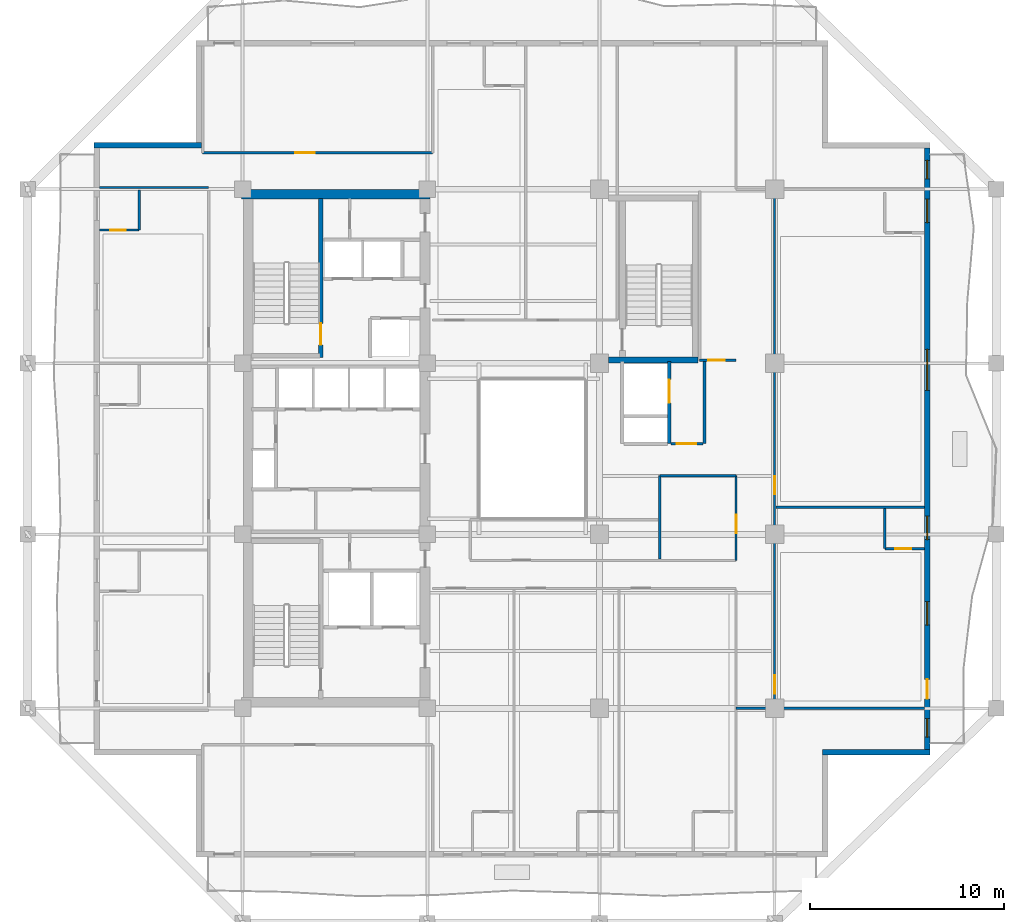
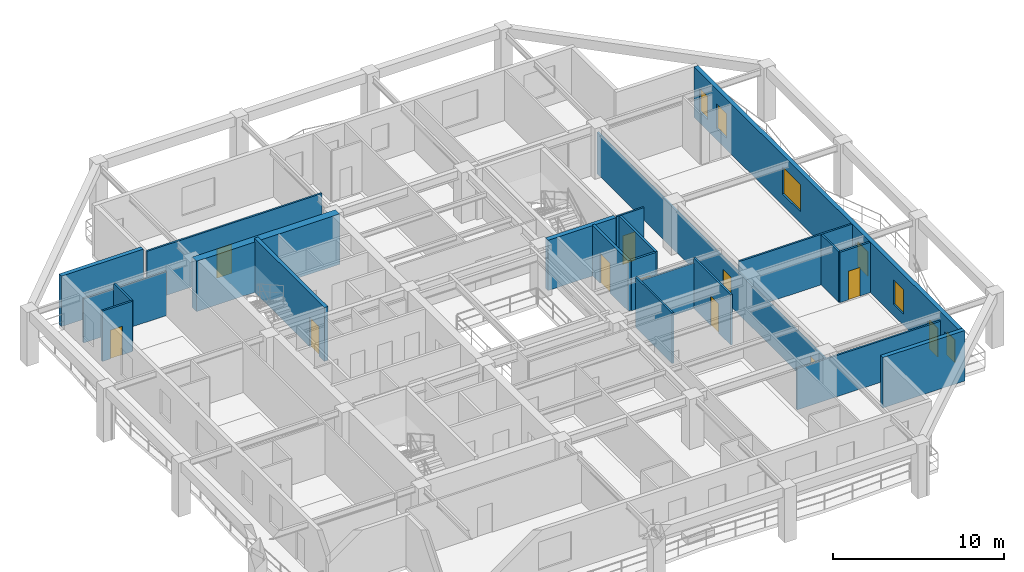
# One storey, part 5 of 13: 22 walls, 11 doors, 6 windows, 17 openings.
"""IFC4 building model written with IfcOpenShell, lengths in metres."""

from ifc_helpers import new_model, si_unit, direction, frame, frame_2d, origin, place, context, subcontext, project, spatial, rectangle, extrude, material, layer, layer_set, type_object, element, fill, save


model = new_model("IFC4")

# Units and contexts
model_context = context("Model", 3, precision=1e-05, world=origin(), true_north=direction((0.0, 1.0)))
body_context = subcontext(model_context, "Body", "Model", "MODEL_VIEW")
ifc_project = project(units=[si_unit("LENGTHUNIT", "METRE"), si_unit("AREAUNIT", "SQUARE_METRE"), si_unit("VOLUMEUNIT", "CUBIC_METRE"), si_unit("PLANEANGLEUNIT", "RADIAN"), si_unit("MASSUNIT", "GRAM", prefix="KILO")], contexts=[model_context])

# Site, building, storey
site_placement = place(None, origin())
site = spatial("IfcSite", under=ifc_project, at=site_placement, CompositionType="ELEMENT")
building_placement = place(site_placement, origin())
building = spatial("IfcBuilding", under=site, at=building_placement, Name="Kundavana Baori Tower", CompositionType="ELEMENT")
storey_placement = place(building_placement, frame((0.0, 0.0, 181.0)))
storey = spatial("IfcBuildingStorey", under=building, at=storey_placement, Name="L44", CompositionType="ELEMENT", Elevation=181.0)

# Wall, opening, door
ifc_material_1 = material(Name="Concrete C50/60", Category="concrete")
ifc_layer_1 = layer(ifc_material_1, 0.39990234375, Name="WL-CORE-400")
ifc_layer_set_1 = layer_set([ifc_layer_1], Name="Concrete C50/60")
wall_type_1 = type_object("IfcWallType", Name="WL-CORE-400", PredefinedType="SHEAR", material=ifc_layer_set_1)
wall_1_placement = place(storey_placement, frame((19.4599609375, 33.300048828125, 0.0), z_axis=(0.0, 0.0, 1.0), x_axis=(0.0, 1.0, 0.0)))
wall_1 = element("IfcWall", 1, at=wall_1_placement, inside=storey, type_object=wall_type_1, Name="WL-L44-ST2-E", PredefinedType="SHEAR", context=body_context, shape_type="SweptSolid", body=[
    extrude(rectangle(XDim=8.179931640625, YDim=0.239990234375, at=frame_2d((4.08984375, 0.0))), origin(), (0.0, 0.0, 1.0), 3.85009765625),
])
opening_1_placement = place(wall_1_placement, frame((0.64990234375, 0.0, 0.0)))
opening_1 = element("IfcOpeningElement", 2, at=opening_1_placement, cuts=wall_1, Name="Opening FD-110", PredefinedType="OPENING", context=body_context, shape_type="SweptSolid", body=[
    extrude(rectangle(XDim=1.10009765625, YDim=2.10009765625, at=frame_2d((0.550048828125, 1.050048828125))), frame((0.0, 0.1298828125, 0.0), z_axis=(0.0, -1.0, 0.0), x_axis=(1.0, 0.0, 0.0)), (0.0, 0.0, 1.0), 0.260009765625),
])
ifc_material_2 = material(Name="Galvanised Steel Fire-Rated Door Leaf", Category="steel")
door_type_1 = type_object("IfcDoorType", Name="DR-FD120-1100", OperationType="NOTDEFINED", PredefinedType="DOOR", material=ifc_material_2)
door_1_placement = place(opening_1_placement, origin())
door_1 = element("IfcDoor", 3, at=door_1_placement, inside=storey, type_object=door_type_1, Name="DR-L44-ST2", OperationType="SINGLE_SWING_RIGHT", OverallHeight=2.10009765625, OverallWidth=1.10009765625, PredefinedType="DOOR", context=body_context, shape_type="SweptSolid", body=[
    extrude(rectangle(XDim=1.10009765625, YDim=2.10009765625, at=frame_2d((0.550048828125, 1.050048828125))), frame((0.0, 0.02490234375, 0.0), z_axis=(0.0, -1.0, 0.0), x_axis=(1.0, 0.0, 0.0)), (0.0, 0.0, 1.0), 0.050048828125),
])
fill(opening_1, door_1)

# Walls
ifc_material_3 = material(Name="Concrete C50/60", Category="concrete")
ifc_layer_2 = layer(ifc_material_3, 0.5, Name="WL-CORE-500")
ifc_layer_set_2 = layer_set([ifc_layer_2], Name="Concrete C50/60")
wall_type_2 = type_object("IfcWallType", Name="WL-CORE-500", PredefinedType="SHEAR", material=ifc_layer_set_2)
wall_2_placement = place(storey_placement, frame((15.39990234375, 41.68994140625, 0.0), z_axis=(0.0, 0.0, 1.0), x_axis=(1.0, 0.0, 0.0)))
element("IfcWall", 4, at=wall_2_placement, inside=storey, type_object=wall_type_2, Name="L44 Offset Core North Shear Wall", PredefinedType="SHEAR", context=body_context, shape_type="SweptSolid", body=[
    extrude(rectangle(XDim=9.68017578125, YDim=0.5, at=frame_2d((4.840087890625, 0.0))), origin(), (0.0, 0.0, 1.0), 3.60009765625),
])
ifc_material_4 = material(Name="Red-Buff Dholpur Sandstone Cladding on Concrete C40/50", Category="masonry")
ifc_layer_3 = layer(ifc_material_4, 0.280029296875, Name="WL-EXT-SAND-280")
ifc_layer_set_3 = layer_set([ifc_layer_3], Name="Red-Buff Dholpur Sandstone Cladding on Concrete C40/50")
wall_type_3 = type_object("IfcWallType", Name="WL-EXT-SAND-280", PredefinedType="STANDARD", material=ifc_layer_set_3)
wall_3_placement = place(storey_placement, frame((45.27001953125, 12.989990234375, 0.0), z_axis=(0.0, 0.0, 1.0), x_axis=(1.0, 0.0, 0.0)))
element("IfcWall", 5, at=wall_3_placement, inside=storey, type_object=wall_type_3, Name="L44 Exterior Insulated Facade Wall 03", PredefinedType="STANDARD", context=body_context, shape_type="SweptSolid", body=[
    extrude(rectangle(XDim=5.530029296875, YDim=0.280029296875, at=frame_2d((2.76513671875, 0.0))), origin(), (0.0, 0.0, 1.0), 3.60009765625),
])

# Wall, openings, door, windows
wall_4_placement = place(storey_placement, frame((50.659912109375, 13.1298828125, 0.0), z_axis=(0.0, 0.0, 1.0), x_axis=(0.0, 1.0, 0.0)))
wall_4 = element("IfcWall", 6, at=wall_4_placement, inside=storey, type_object=wall_type_3, Name="L44 Exterior Insulated Facade Wall 04", PredefinedType="STANDARD", context=body_context, shape_type="SweptSolid", body=[
    extrude(rectangle(XDim=30.940185546875, YDim=0.280029296875, at=frame_2d((15.47021484375, 0.0))), origin(), (0.0, 0.0, 1.0), 3.60009765625),
])
opening_2_placement = place(wall_4_placement, frame((0.639892578125, 0.0, 0.800048828125)))
opening_2 = element("IfcOpeningElement", 7, at=opening_2_placement, cuts=wall_4, Name="Opening W-13", PredefinedType="OPENING", context=body_context, shape_type="SweptSolid", body=[
    extrude(rectangle(XDim=0.949951171875, YDim=1.64990234375, at=frame_2d((0.47509765625, 0.824951171875))), frame((0.0, 0.14990234375, 0.0), z_axis=(0.0, -1.0, 0.0), x_axis=(1.0, 0.0, 0.0)), (0.0, 0.0, 1.0), 0.300048828125),
])
opening_3_placement = place(wall_4_placement, frame((2.610107421875, 0.0, 0.0)))
opening_3 = element("IfcOpeningElement", 8, at=opening_3_placement, cuts=wall_4, Name="Opening BD-1", PredefinedType="OPENING", context=body_context, shape_type="SweptSolid", body=[
    extrude(rectangle(XDim=1.0, YDim=2.050048828125, at=frame_2d((0.5, 1.02490234375))), frame((0.0, 0.14990234375, 0.0), z_axis=(0.0, -1.0, 0.0), x_axis=(1.0, 0.0, 0.0)), (0.0, 0.0, 1.0), 0.300048828125),
])
opening_4_placement = place(wall_4_placement, frame((6.405029296875, 0.0, 0.800048828125)))
opening_4 = element("IfcOpeningElement", 9, at=opening_4_placement, cuts=wall_4, Name="Opening W-03", PredefinedType="OPENING", context=body_context, shape_type="SweptSolid", body=[
    extrude(rectangle(XDim=1.199951171875, YDim=1.75, at=frame_2d((0.60009765625, 0.875))), frame((0.0, 0.14990234375, 0.0), z_axis=(0.0, -1.0, 0.0), x_axis=(1.0, 0.0, 0.0)), (0.0, 0.0, 1.0), 0.300048828125),
])
opening_5_placement = place(wall_4_placement, frame((10.804931640625, 0.0, 0.800048828125)))
opening_5 = element("IfcOpeningElement", 10, at=opening_5_placement, cuts=wall_4, Name="Opening W-03", PredefinedType="OPENING", context=body_context, shape_type="SweptSolid", body=[
    extrude(rectangle(XDim=1.199951171875, YDim=1.75, at=frame_2d((0.60009765625, 0.875))), frame((0.0, 0.14990234375, 0.0), z_axis=(0.0, -1.0, 0.0), x_axis=(1.0, 0.0, 0.0)), (0.0, 0.0, 1.0), 0.300048828125),
])
opening_6_placement = place(wall_4_placement, frame((18.47998046875, 0.0, 0.800048828125)))
opening_6 = element("IfcOpeningElement", 11, at=opening_6_placement, cuts=wall_4, Name="Opening W-05", PredefinedType="OPENING", context=body_context, shape_type="SweptSolid", body=[
    extrude(rectangle(XDim=2.10009765625, YDim=1.949951171875, at=frame_2d((1.050048828125, 0.97509765625))), frame((0.0, 0.14990234375, 0.0), z_axis=(0.0, -1.0, 0.0), x_axis=(1.0, 0.0, 0.0)), (0.0, 0.0, 1.0), 0.300048828125),
])
opening_7_placement = place(wall_4_placement, frame((27.10498046875, 0.0, 0.800048828125)))
opening_7 = element("IfcOpeningElement", 12, at=opening_7_placement, cuts=wall_4, Name="Opening W-03", PredefinedType="OPENING", context=body_context, shape_type="SweptSolid", body=[
    extrude(rectangle(XDim=1.199951171875, YDim=1.75, at=frame_2d((0.60009765625, 0.875))), frame((0.0, 0.14990234375, 0.0), z_axis=(0.0, -1.0, 0.0), x_axis=(1.0, 0.0, 0.0)), (0.0, 0.0, 1.0), 0.300048828125),
])
opening_8_placement = place(wall_4_placement, frame((29.35009765625, 0.0, 0.800048828125)))
opening_8 = element("IfcOpeningElement", 13, at=opening_8_placement, cuts=wall_4, Name="Opening W-13", PredefinedType="OPENING", context=body_context, shape_type="SweptSolid", body=[
    extrude(rectangle(XDim=0.949951171875, YDim=1.64990234375, at=frame_2d((0.47509765625, 0.824951171875))), frame((0.0, 0.14990234375, 0.0), z_axis=(0.0, -1.0, 0.0), x_axis=(1.0, 0.0, 0.0)), (0.0, 0.0, 1.0), 0.300048828125),
])
ifc_material_5 = material(Name="Architectural Patinated Bronze Metalwork")
door_type_2 = type_object("IfcDoorType", Name="DR-EXT-LOG-1000", OperationType="NOTDEFINED", PredefinedType="DOOR", material=ifc_material_5)
door_2_placement = place(opening_3_placement, frame((1.0, 0.0, 0.0), z_axis=(0.0, 0.0, 1.0), x_axis=(-1.0, 0.0, 0.0)))
door_2 = element("IfcDoor", 14, at=door_2_placement, inside=storey, type_object=door_type_2, Name="L44 Loggia Balcony Access Door E", OperationType="SINGLE_SWING_LEFT", OverallHeight=2.050048828125, OverallWidth=1.0, PredefinedType="DOOR", context=body_context, shape_type="SweptSolid", body=[
    extrude(rectangle(XDim=1.0, YDim=2.050048828125, at=frame_2d((0.5, 1.02490234375))), frame((0.0, 0.02490234375, 0.0), z_axis=(0.0, -1.0, 0.0), x_axis=(1.0, 0.0, 0.0)), (0.0, 0.0, 1.0), 0.050048828125),
])
fill(opening_3, door_2)
ifc_material_6 = material(Name="Double-Glazed Solar-Control Low-E Insulated Glass", Category="glass")
window_type_1 = type_object("IfcWindowType", Name="WIN-LOG-1200x1750", PartitioningType="SINGLE_PANEL", PredefinedType="WINDOW", material=ifc_material_6)
window_1_placement = place(opening_4_placement, origin())
window_1 = element("IfcWindow", 15, at=window_1_placement, inside=storey, type_object=window_type_1, Name="L44 Recessed Loggia Window E-2", OverallHeight=1.75, OverallWidth=1.199951171875, PartitioningType="SINGLE_PANEL", PredefinedType="WINDOW", context=body_context, shape_type="SweptSolid", body=[
    extrude(rectangle(XDim=1.199951171875, YDim=1.75, at=frame_2d((0.60009765625, 0.875))), frame((0.0, 0.030029296875, 0.0), z_axis=(0.0, -1.0, 0.0), x_axis=(1.0, 0.0, 0.0)), (0.0, 0.0, 1.0), 0.06005859375),
])
fill(opening_4, window_1)
window_2_placement = place(opening_5_placement, origin())
window_2 = element("IfcWindow", 16, at=window_2_placement, inside=storey, type_object=window_type_1, Name="L44 Recessed Loggia Window E-3", OverallHeight=1.75, OverallWidth=1.199951171875, PartitioningType="SINGLE_PANEL", PredefinedType="WINDOW", context=body_context, shape_type="SweptSolid", body=[
    extrude(rectangle(XDim=1.199951171875, YDim=1.75, at=frame_2d((0.60009765625, 0.875))), frame((0.0, 0.030029296875, 0.0), z_axis=(0.0, -1.0, 0.0), x_axis=(1.0, 0.0, 0.0)), (0.0, 0.0, 1.0), 0.06005859375),
])
fill(opening_5, window_2)
window_3_placement = place(opening_7_placement, origin())
window_3 = element("IfcWindow", 17, at=window_3_placement, inside=storey, type_object=window_type_1, Name="L44 Recessed Loggia Window E-5", OverallHeight=1.75, OverallWidth=1.199951171875, PartitioningType="SINGLE_PANEL", PredefinedType="WINDOW", context=body_context, shape_type="SweptSolid", body=[
    extrude(rectangle(XDim=1.199951171875, YDim=1.75, at=frame_2d((0.60009765625, 0.875))), frame((0.0, 0.030029296875, 0.0), z_axis=(0.0, -1.0, 0.0), x_axis=(1.0, 0.0, 0.0)), (0.0, 0.0, 1.0), 0.06005859375),
])
fill(opening_7, window_3)
ifc_material_7 = material(Name="Double-Glazed Solar-Control Low-E Insulated Glass", Category="glass")
window_type_2 = type_object("IfcWindowType", Name="WIN-LOG-2100x1950", PartitioningType="SINGLE_PANEL", PredefinedType="WINDOW", material=ifc_material_7)
window_4_placement = place(opening_6_placement, origin())
window_4 = element("IfcWindow", 18, at=window_4_placement, inside=storey, type_object=window_type_2, Name="L44 Recessed Loggia Window E-4", OverallHeight=1.949951171875, OverallWidth=2.10009765625, PartitioningType="SINGLE_PANEL", PredefinedType="WINDOW", context=body_context, shape_type="SweptSolid", body=[
    extrude(rectangle(XDim=2.10009765625, YDim=1.949951171875, at=frame_2d((1.050048828125, 0.97509765625))), frame((0.0, 0.030029296875, 0.0), z_axis=(0.0, -1.0, 0.0), x_axis=(1.0, 0.0, 0.0)), (0.0, 0.0, 1.0), 0.06005859375),
])
fill(opening_6, window_4)
ifc_material_8 = material(Name="Double-Glazed Solar-Control Low-E Insulated Glass", Category="glass")
window_type_3 = type_object("IfcWindowType", Name="WIN-LOG-950x1650", PartitioningType="SINGLE_PANEL", PredefinedType="WINDOW", material=ifc_material_8)
window_5_placement = place(opening_2_placement, origin())
window_5 = element("IfcWindow", 19, at=window_5_placement, inside=storey, type_object=window_type_3, Name="L44 Recessed Loggia Window E-1", OverallHeight=1.64990234375, OverallWidth=0.949951171875, PartitioningType="SINGLE_PANEL", PredefinedType="WINDOW", context=body_context, shape_type="SweptSolid", body=[
    extrude(rectangle(XDim=0.949951171875, YDim=1.64990234375, at=frame_2d((0.47509765625, 0.824951171875))), frame((0.0, 0.030029296875, 0.0), z_axis=(0.0, -1.0, 0.0), x_axis=(1.0, 0.0, 0.0)), (0.0, 0.0, 1.0), 0.06005859375),
])
fill(opening_2, window_5)
window_6_placement = place(opening_8_placement, origin())
window_6 = element("IfcWindow", 20, at=window_6_placement, inside=storey, type_object=window_type_3, Name="L44 Recessed Loggia Window E-6", OverallHeight=1.64990234375, OverallWidth=0.949951171875, PartitioningType="SINGLE_PANEL", PredefinedType="WINDOW", context=body_context, shape_type="SweptSolid", body=[
    extrude(rectangle(XDim=0.949951171875, YDim=1.64990234375, at=frame_2d((0.47509765625, 0.824951171875))), frame((0.0, 0.030029296875, 0.0), z_axis=(0.0, -1.0, 0.0), x_axis=(1.0, 0.0, 0.0)), (0.0, 0.0, 1.0), 0.06005859375),
])
fill(opening_8, window_6)

# Wall
wall_5_placement = place(storey_placement, frame((13.330078125, 44.2099609375, 0.0), z_axis=(0.0, 0.0, 1.0), x_axis=(-1.0, 0.0, 0.0)))
element("IfcWall", 21, at=wall_5_placement, inside=storey, type_object=wall_type_3, Name="L44 Exterior Insulated Facade Wall 09", PredefinedType="STANDARD", context=body_context, shape_type="SweptSolid", body=[
    extrude(rectangle(XDim=5.530029296875, YDim=0.280029296875, at=frame_2d((2.76513671875, 0.0))), origin(), (0.0, 0.0, 1.0), 3.60009765625),
])

# Wall, openings, doors
ifc_material_9 = material(Name="Acoustic Gypsum Plasterboard on Galvanised Steel Studs", Category="steel")
ifc_layer_4 = layer(ifc_material_9, 0.1201171875, Name="WL-PART-120")
ifc_layer_set_4 = layer_set([ifc_layer_4], Name="Acoustic Gypsum Plasterboard on Galvanised Steel Studs")
wall_type_4 = type_object("IfcWallType", Name="WL-PART-120", PredefinedType="PARTITIONING", material=ifc_layer_set_4)
wall_6_placement = place(storey_placement, frame((42.800048828125, 15.25, 0.0), z_axis=(0.0, 0.0, 1.0), x_axis=(0.0, 1.0, 0.0)))
wall_6 = element("IfcWall", 22, at=wall_6_placement, inside=storey, type_object=wall_type_4, Name="WL-L44-HE", PredefinedType="PARTITIONING", context=body_context, shape_type="SweptSolid", body=[
    extrude(rectangle(XDim=26.699951171875, YDim=0.1201171875, at=frame_2d((13.35009765625, 0.0))), origin(), (0.0, 0.0, 1.0), 2.949951171875),
])
opening_9_placement = place(wall_6_placement, frame((0.75, 0.0, 0.0)))
opening_9 = element("IfcOpeningElement", 23, at=opening_9_placement, cuts=wall_6, Name="Opening FD-095", PredefinedType="OPENING", context=body_context, shape_type="SweptSolid", body=[
    extrude(rectangle(XDim=0.949951171875, YDim=2.10009765625, at=frame_2d((0.47509765625, 1.050048828125))), frame((0.0, 0.070068359375, 0.0), z_axis=(0.0, -1.0, 0.0), x_axis=(1.0, 0.0, 0.0)), (0.0, 0.0, 1.0), 0.14013671875),
])
opening_10_placement = place(wall_6_placement, frame((11.0, 0.0, 0.0)))
opening_10 = element("IfcOpeningElement", 24, at=opening_10_placement, cuts=wall_6, Name="Opening FD-095", PredefinedType="OPENING", context=body_context, shape_type="SweptSolid", body=[
    extrude(rectangle(XDim=0.949951171875, YDim=2.10009765625, at=frame_2d((0.47509765625, 1.050048828125))), frame((0.0, 0.070068359375, 0.0), z_axis=(0.0, -1.0, 0.0), x_axis=(1.0, 0.0, 0.0)), (0.0, 0.0, 1.0), 0.14013671875),
])
ifc_material_10 = material(Name="Engineered Teak Fire-Rated Timber Door Leaf", Category="wood")
door_type_3 = type_object("IfcDoorType", Name="DR-FD60-950", OperationType="NOTDEFINED", PredefinedType="DOOR", material=ifc_material_10)
door_3_placement = place(opening_9_placement, origin())
door_3 = element("IfcDoor", 25, at=door_3_placement, inside=storey, type_object=door_type_3, Name="DR-L44-HK-E1-ENT", OperationType="SINGLE_SWING_LEFT", OverallHeight=2.10009765625, OverallWidth=0.949951171875, PredefinedType="DOOR", context=body_context, shape_type="SweptSolid", body=[
    extrude(rectangle(XDim=0.949951171875, YDim=2.10009765625, at=frame_2d((0.47509765625, 1.050048828125))), frame((0.0, 0.02490234375, 0.0), z_axis=(0.0, -1.0, 0.0), x_axis=(1.0, 0.0, 0.0)), (0.0, 0.0, 1.0), 0.050048828125),
])
fill(opening_9, door_3)
door_4_placement = place(opening_10_placement, origin())
door_4 = element("IfcDoor", 26, at=door_4_placement, inside=storey, type_object=door_type_3, Name="DR-L44-HK-E2-ENT", OperationType="SINGLE_SWING_LEFT", OverallHeight=2.10009765625, OverallWidth=0.949951171875, PredefinedType="DOOR", context=body_context, shape_type="SweptSolid", body=[
    extrude(rectangle(XDim=0.949951171875, YDim=2.10009765625, at=frame_2d((0.47509765625, 1.050048828125))), frame((0.0, 0.02490234375, 0.0), z_axis=(0.0, -1.0, 0.0), x_axis=(1.0, 0.0, 0.0)), (0.0, 0.0, 1.0), 0.050048828125),
])
fill(opening_10, door_4)

# Wall
wall_7_placement = place(storey_placement, frame((40.820068359375, 15.25, 0.0), z_axis=(0.0, 0.0, 1.0), x_axis=(1.0, 0.0, 0.0)))
element("IfcWall", 27, at=wall_7_placement, inside=storey, type_object=wall_type_4, Name="WL-L44-HES", PredefinedType="PARTITIONING", context=body_context, shape_type="SweptSolid", body=[
    extrude(rectangle(XDim=9.699951171875, YDim=0.1201171875, at=frame_2d((4.85009765625, 0.0))), origin(), (0.0, 0.0, 1.0), 2.949951171875),
])

# Wall, opening, door
wall_8_placement = place(storey_placement, frame((40.820068359375, 22.860107421875, 0.0), z_axis=(0.0, 0.0, 1.0), x_axis=(0.0, 1.0, 0.0)))
wall_8 = element("IfcWall", 28, at=wall_8_placement, inside=storey, type_object=wall_type_4, Name="WL-L44-HEW", PredefinedType="PARTITIONING", context=body_context, shape_type="SweptSolid", body=[
    extrude(rectangle(XDim=4.35986328125, YDim=0.1201171875, at=frame_2d((2.179931640625, 0.0))), origin(), (0.0, 0.0, 1.0), 3.60009765625),
])
opening_11_placement = place(wall_8_placement, frame((1.39990234375, 0.0, 0.0)))
opening_11 = element("IfcOpeningElement", 29, at=opening_11_placement, cuts=wall_8, Name="Opening FD-095", PredefinedType="OPENING", context=body_context, shape_type="SweptSolid", body=[
    extrude(rectangle(XDim=0.949951171875, YDim=2.10009765625, at=frame_2d((0.47509765625, 1.050048828125))), frame((0.0, 0.070068359375, 0.0), z_axis=(0.0, -1.0, 0.0), x_axis=(1.0, 0.0, 0.0)), (0.0, 0.0, 1.0), 0.14013671875),
])
door_5_placement = place(opening_11_placement, frame((0.949951171875, 0.0, 0.0), z_axis=(0.0, 0.0, 1.0), x_axis=(-1.0, 0.0, 0.0)))
door_5 = element("IfcDoor", 30, at=door_5_placement, inside=storey, type_object=door_type_3, Name="DR-L44-HSK", OperationType="SINGLE_SWING_RIGHT", OverallHeight=2.10009765625, OverallWidth=0.949951171875, PredefinedType="DOOR", context=body_context, shape_type="SweptSolid", body=[
    extrude(rectangle(XDim=0.949951171875, YDim=2.10009765625, at=frame_2d((0.47509765625, 1.050048828125))), frame((0.0, 0.02490234375, 0.0), z_axis=(0.0, -1.0, 0.0), x_axis=(1.0, 0.0, 0.0)), (0.0, 0.0, 1.0), 0.050048828125),
])
fill(opening_11, door_5)

# Wall
wall_9_placement = place(storey_placement, frame((8.080078125, 42.0400390625, 0.0), z_axis=(0.0, 0.0, 1.0), x_axis=(1.0, 0.0, 0.0)))
element("IfcWall", 31, at=wall_9_placement, inside=storey, type_object=wall_type_4, Name="WL-L44-HWN", PredefinedType="PARTITIONING", context=body_context, shape_type="SweptSolid", body=[
    extrude(rectangle(XDim=5.619873046875, YDim=0.1201171875, at=frame_2d((2.81005859375, 0.0))), origin(), (0.0, 0.0, 1.0), 3.14990234375),
])

# Wall, opening, door
wall_10_placement = place(storey_placement, frame((13.389892578125, 43.820068359375, 0.0), z_axis=(0.0, 0.0, 1.0), x_axis=(1.0, 0.0, 0.0)))
wall_10 = element("IfcWall", 32, at=wall_10_placement, inside=storey, type_object=wall_type_4, Name="WL-L44-HNC", PredefinedType="PARTITIONING", context=body_context, shape_type="SweptSolid", body=[
    extrude(rectangle(XDim=11.830078125, YDim=0.1201171875, at=frame_2d((5.9150390625, 0.0))), origin(), (0.0, 0.0, 1.0), 3.60009765625),
])
opening_12_placement = place(wall_10_placement, frame((4.760009765625, 0.0, 0.0)))
opening_12 = element("IfcOpeningElement", 33, at=opening_12_placement, cuts=wall_10, Name="Opening ID-100", PredefinedType="OPENING", context=body_context, shape_type="SweptSolid", body=[
    extrude(rectangle(XDim=1.0, YDim=2.080078125, at=frame_2d((0.5, 1.0400390625))), frame((0.0, 0.070068359375, 0.0), z_axis=(0.0, -1.0, 0.0), x_axis=(1.0, 0.0, 0.0)), (0.0, 0.0, 1.0), 0.14013671875),
])
ifc_material_11 = material(Name="Engineered Teak Solid-Core Timber Veneer", Category="wood")
door_type_4 = type_object("IfcDoorType", Name="DR-INT-1000", OperationType="NOTDEFINED", PredefinedType="DOOR", material=ifc_material_11)
door_6_placement = place(opening_12_placement, origin())
door_6 = element("IfcDoor", 34, at=door_6_placement, inside=storey, type_object=door_type_4, Name="DR-L44-HMNW", OperationType="SINGLE_SWING_RIGHT", OverallHeight=2.080078125, OverallWidth=1.0, PredefinedType="DOOR", context=body_context, shape_type="SweptSolid", body=[
    extrude(rectangle(XDim=1.0, YDim=2.080078125, at=frame_2d((0.5, 1.0400390625))), frame((0.0, 0.02490234375, 0.0), z_axis=(0.0, -1.0, 0.0), x_axis=(1.0, 0.0, 0.0)), (0.0, 0.0, 1.0), 0.050048828125),
])
fill(opening_12, door_6)

# Walls
wall_11_placement = place(storey_placement, frame((36.89990234375, 27.219970703125, 0.0), z_axis=(0.0, 0.0, 1.0), x_axis=(1.0, 0.0, 0.0)))
element("IfcWall", 35, at=wall_11_placement, inside=storey, type_object=wall_type_4, Name="WL-L44-HKN", PredefinedType="PARTITIONING", context=body_context, shape_type="SweptSolid", body=[
    extrude(rectangle(XDim=3.920166015625, YDim=0.1201171875, at=frame_2d((1.9599609375, 0.0))), origin(), (0.0, 0.0, 1.0), 3.25),
])
wall_12_placement = place(storey_placement, frame((36.89990234375, 22.93994140625, 0.0), z_axis=(0.0, 0.0, 1.0), x_axis=(0.0, 1.0, 0.0)))
element("IfcWall", 36, at=wall_12_placement, inside=storey, type_object=wall_type_4, Name="WL-L44-HKD", PredefinedType="PARTITIONING", context=body_context, shape_type="SweptSolid", body=[
    extrude(rectangle(XDim=4.280029296875, YDim=0.1201171875, at=frame_2d((2.14013671875, 0.0))), origin(), (0.0, 0.0, 1.0), 3.60009765625),
])
wall_13_placement = place(storey_placement, frame((42.8798828125, 25.60009765625, 0.0), z_axis=(0.0, 0.0, 1.0), x_axis=(1.0, 0.0, 0.0)))
element("IfcWall", 37, at=wall_13_placement, inside=storey, type_object=wall_type_4, Name="WL-L44-HED1", PredefinedType="PARTITIONING", context=body_context, shape_type="SweptSolid", body=[
    extrude(rectangle(XDim=7.64013671875, YDim=0.1201171875, at=frame_2d((3.820068359375, 0.0))), origin(), (0.0, 0.0, 1.0), 3.60009765625),
])

# Wall, opening, door
wall_14_placement = place(storey_placement, frame((38.949951171875, 33.14990234375, 0.0), z_axis=(0.0, 0.0, 1.0), x_axis=(1.0, 0.0, 0.0)))
wall_14 = element("IfcWall", 38, at=wall_14_placement, inside=storey, type_object=wall_type_4, Name="WL-L44-HNES", PredefinedType="PARTITIONING", context=body_context, shape_type="SweptSolid", body=[
    extrude(rectangle(XDim=1.8701171875, YDim=0.1201171875, at=frame_2d((0.93505859375, 0.0))), origin(), (0.0, 0.0, 1.0), 3.60009765625),
])
opening_13_placement = place(wall_14_placement, frame((0.449951171875, 0.0, 0.0)))
opening_13 = element("IfcOpeningElement", 39, at=opening_13_placement, cuts=wall_14, Name="Opening WD-085", PredefinedType="OPENING", context=body_context, shape_type="SweptSolid", body=[
    extrude(rectangle(XDim=0.85009765625, YDim=2.050048828125, at=frame_2d((0.425048828125, 1.02490234375))), frame((0.0, 0.070068359375, 0.0), z_axis=(0.0, -1.0, 0.0), x_axis=(1.0, 0.0, 0.0)), (0.0, 0.0, 1.0), 0.14013671875),
])
ifc_material_12 = material(Name="Engineered Teak Solid-Core Timber Veneer", Category="wood")
door_type_5 = type_object("IfcDoorType", Name="DR-WET-850", OperationType="NOTDEFINED", PredefinedType="DOOR", material=ifc_material_12)
door_7_placement = place(opening_13_placement, origin())
door_7 = element("IfcDoor", 40, at=door_7_placement, inside=storey, type_object=door_type_5, Name="DR-L44-HLNE", OperationType="SINGLE_SWING_LEFT", OverallHeight=2.050048828125, OverallWidth=0.85009765625, PredefinedType="DOOR", context=body_context, shape_type="SweptSolid", body=[
    extrude(rectangle(XDim=0.85009765625, YDim=2.050048828125, at=frame_2d((0.425048828125, 1.02490234375))), frame((0.0, 0.02490234375, 0.0), z_axis=(0.0, -1.0, 0.0), x_axis=(1.0, 0.0, 0.0)), (0.0, 0.0, 1.0), 0.050048828125),
])
fill(opening_13, door_7)

# Wall
ifc_material_13 = material(Name="Fire-Rated Gypsum Drywall on Galvanised Steel Studs", Category="steel")
ifc_layer_5 = layer(ifc_material_13, 0.14990234375, Name="WL-PART-150")
ifc_layer_set_5 = layer_set([ifc_layer_5], Name="Fire-Rated Gypsum Drywall on Galvanised Steel Studs")
wall_type_5 = type_object("IfcWallType", Name="WL-PART-150", PredefinedType="PARTITIONING", material=ifc_layer_set_5)
wall_15_placement = place(storey_placement, frame((39.199951171875, 28.860107421875, 0.0), z_axis=(0.0, 0.0, 1.0), x_axis=(0.0, 1.0, 0.0)))
element("IfcWall", 41, at=wall_15_placement, inside=storey, type_object=wall_type_5, Name="WL-L44-SVLOB-E", PredefinedType="PARTITIONING", context=body_context, shape_type="SweptSolid", body=[
    extrude(rectangle(XDim=4.219970703125, YDim=0.14990234375, at=frame_2d((2.10986328125, 0.0))), origin(), (0.0, 0.0, 1.0), 3.60009765625),
])

# Wall, opening, door
wall_16_placement = place(storey_placement, frame((37.47998046875, 28.860107421875, 0.0), z_axis=(0.0, 0.0, 1.0), x_axis=(1.0, 0.0, 0.0)))
wall_16 = element("IfcWall", 42, at=wall_16_placement, inside=storey, type_object=wall_type_5, Name="WL-L44-SVLOB-S", PredefinedType="PARTITIONING", context=body_context, shape_type="SweptSolid", body=[
    extrude(rectangle(XDim=1.64013671875, YDim=0.14990234375, at=frame_2d((0.820068359375, 0.0))), origin(), (0.0, 0.0, 1.0), 3.60009765625),
])
opening_14_placement = place(wall_16_placement, frame((0.300048828125, 0.0, 0.0)))
opening_14 = element("IfcOpeningElement", 43, at=opening_14_placement, cuts=wall_16, Name="Opening FD-100", PredefinedType="OPENING", context=body_context, shape_type="SweptSolid", body=[
    extrude(rectangle(XDim=1.0, YDim=2.10009765625, at=frame_2d((0.5, 1.050048828125))), frame((0.0, 0.0849609375, 0.0), z_axis=(0.0, -1.0, 0.0), x_axis=(1.0, 0.0, 0.0)), (0.0, 0.0, 1.0), 0.169921875),
])
ifc_material_14 = material(Name="Engineered Teak Fire-Rated Timber Door Leaf", Category="wood")
door_type_6 = type_object("IfcDoorType", Name="DR-FD60-1000", OperationType="NOTDEFINED", PredefinedType="DOOR", material=ifc_material_14)
door_8_placement = place(opening_14_placement, origin())
door_8 = element("IfcDoor", 44, at=door_8_placement, inside=storey, type_object=door_type_6, Name="DR-L44-SVLOB-OUT", OperationType="SINGLE_SWING_LEFT", OverallHeight=2.10009765625, OverallWidth=1.0, PredefinedType="DOOR", context=body_context, shape_type="SweptSolid", body=[
    extrude(rectangle(XDim=1.0, YDim=2.10009765625, at=frame_2d((0.5, 1.050048828125))), frame((0.0, 0.02490234375, 0.0), z_axis=(0.0, -1.0, 0.0), x_axis=(1.0, 0.0, 0.0)), (0.0, 0.0, 1.0), 0.050048828125),
])
fill(opening_14, door_8)

ifc_material_15 = material(Name="Autoclaved Aerated Concrete Blockwork Masonry", Category="masonry")
ifc_layer_6 = layer(ifc_material_15, 0.179931640625, Name="WL-SHAFT-180")
ifc_layer_set_6 = layer_set([ifc_layer_6], Name="Autoclaved Aerated Concrete Blockwork Masonry")
wall_type_6 = type_object("IfcWallType", Name="WL-SHAFT-180", PredefinedType="SOLIDWALL", material=ifc_layer_set_6)
wall_17_placement = place(storey_placement, frame((37.389892578125, 28.860107421875, 0.0), z_axis=(0.0, 0.0, 1.0), x_axis=(0.0, 1.0, 0.0)))
wall_17 = element("IfcWall", 45, at=wall_17_placement, inside=storey, type_object=wall_type_6, Name="WL-L44-SVL-E", PredefinedType="SOLIDWALL", context=body_context, shape_type="SweptSolid", body=[
    extrude(rectangle(XDim=4.219970703125, YDim=0.179931640625, at=frame_2d((2.10986328125, 0.0))), origin(), (0.0, 0.0, 1.0), 3.60009765625),
])
opening_15_placement = place(wall_17_placement, frame((2.10009765625, 0.0, 0.0)))
opening_15 = element("IfcOpeningElement", 46, at=opening_15_placement, cuts=wall_17, Name="Opening LD-120", PredefinedType="OPENING", context=body_context, shape_type="SweptSolid", body=[
    extrude(rectangle(XDim=1.199951171875, YDim=2.1201171875, at=frame_2d((0.60009765625, 1.06005859375))), frame((0.0, 0.10009765625, 0.0), z_axis=(0.0, -1.0, 0.0), x_axis=(1.0, 0.0, 0.0)), (0.0, 0.0, 1.0), 0.199951171875),
])
ifc_material_16 = material(Name="Galvanised Steel Fire-Rated Door Leaf", Category="steel")
door_type_7 = type_object("IfcDoorType", Name="DR-SLIDE-LD1200", OperationType="NOTDEFINED", PredefinedType="DOOR", material=ifc_material_16)
door_9_placement = place(opening_15_placement, frame((1.199951171875, 0.0, 0.0), z_axis=(0.0, 0.0, 1.0), x_axis=(-1.0, 0.0, 0.0)))
door_9 = element("IfcDoor", 47, at=door_9_placement, inside=storey, type_object=door_type_7, Name="DR-L44-LD-SVL1", OperationType="DOUBLE_DOOR_SLIDING", OverallHeight=2.1201171875, OverallWidth=1.199951171875, PredefinedType="DOOR", context=body_context, shape_type="SweptSolid", body=[
    extrude(rectangle(XDim=1.199951171875, YDim=2.1201171875, at=frame_2d((0.60009765625, 1.06005859375))), frame((0.0, 0.02490234375, 0.0), z_axis=(0.0, -1.0, 0.0), x_axis=(1.0, 0.0, 0.0)), (0.0, 0.0, 1.0), 0.050048828125),
])
fill(opening_15, door_9)

# Walls
ifc_material_17 = material(Name="Concrete C50/60", Category="concrete")
ifc_layer_7 = layer(ifc_material_17, 0.300048828125, Name="WL-ST3-300")
ifc_layer_set_7 = layer_set([ifc_layer_7], Name="Concrete C50/60")
wall_type_7 = type_object("IfcWallType", Name="WL-ST3-300", PredefinedType="SHEAR", material=ifc_layer_set_7)
wall_18_placement = place(storey_placement, frame((34.27490234375, 33.159912109375, 0.0), z_axis=(0.0, 0.0, 1.0), x_axis=(1.0, 0.0, 0.0)))
element("IfcWall", 48, at=wall_18_placement, inside=storey, type_object=wall_type_7, Name="L44 Stair ST3 South Shear Wall", PredefinedType="SHEAR", context=body_context, shape_type="SweptSolid", body=[
    extrude(rectangle(XDim=4.59521484375, YDim=0.300048828125, at=frame_2d((2.297607421875, 0.0))), origin(), (0.0, 0.0, 1.0), 3.60009765625),
])
ifc_material_18 = material(Name="Autoclaved Aerated Concrete Blockwork Masonry", Category="masonry")
ifc_layer_8 = layer(ifc_material_18, 0.125, Name="WL-WET-120")
ifc_layer_set_8 = layer_set([ifc_layer_8], Name="Autoclaved Aerated Concrete Blockwork Masonry")
wall_type_8 = type_object("IfcWallType", Name="WL-WET-120", PredefinedType="PLUMBINGWALL", material=ifc_layer_set_8)
wall_19_placement = place(storey_placement, frame((10.1298828125, 39.85009765625, 0.0), z_axis=(0.0, 0.0, 1.0), x_axis=(0.0, 1.0, 0.0)))
element("IfcWall", 49, at=wall_19_placement, inside=storey, type_object=wall_type_8, Name="WL-L44-HK-W3-BE", PredefinedType="PLUMBINGWALL", context=body_context, shape_type="SweptSolid", body=[
    extrude(rectangle(XDim=2.0498046875, YDim=0.125, at=frame_2d((1.02490234375, 0.0))), origin(), (0.0, 0.0, 1.0), 3.60009765625),
])

# Wall, opening, door
wall_20_placement = place(storey_placement, frame((8.080078125, 39.85009765625, 0.0), z_axis=(0.0, 0.0, 1.0), x_axis=(1.0, 0.0, 0.0)))
wall_20 = element("IfcWall", 50, at=wall_20_placement, inside=storey, type_object=wall_type_8, Name="WL-L44-HK-W3-BS", PredefinedType="PLUMBINGWALL", context=body_context, shape_type="SweptSolid", body=[
    extrude(rectangle(XDim=2.0498046875, YDim=0.125, at=frame_2d((1.02490234375, 0.0))), origin(), (0.0, 0.0, 1.0), 3.60009765625),
])
opening_16_placement = place(wall_20_placement, frame((0.550048828125, 0.0, 0.0)))
opening_16 = element("IfcOpeningElement", 51, at=opening_16_placement, cuts=wall_20, Name="Opening WD-080", PredefinedType="OPENING", context=body_context, shape_type="SweptSolid", body=[
    extrude(rectangle(XDim=0.800048828125, YDim=2.050048828125, at=frame_2d((0.39990234375, 1.02490234375))), frame((0.0, 0.072509765625, 0.0), z_axis=(0.0, -1.0, 0.0), x_axis=(1.0, 0.0, 0.0)), (0.0, 0.0, 1.0), 0.14501953125),
])
ifc_material_19 = material(Name="Engineered Teak Solid-Core Timber Veneer", Category="wood")
door_type_8 = type_object("IfcDoorType", Name="DR-WET-800", OperationType="NOTDEFINED", PredefinedType="DOOR", material=ifc_material_19)
door_10_placement = place(opening_16_placement, frame((0.800048828125, 0.0, 0.0), z_axis=(0.0, 0.0, 1.0), x_axis=(-1.0, 0.0, 0.0)))
door_10 = element("IfcDoor", 52, at=door_10_placement, inside=storey, type_object=door_type_8, Name="DR-L44-HK-W3-ENS", OperationType="SINGLE_SWING_LEFT", OverallHeight=2.050048828125, OverallWidth=0.800048828125, PredefinedType="DOOR", context=body_context, shape_type="SweptSolid", body=[
    extrude(rectangle(XDim=0.800048828125, YDim=2.050048828125, at=frame_2d((0.39990234375, 1.02490234375))), frame((0.0, 0.02490234375, 0.0), z_axis=(0.0, -1.0, 0.0), x_axis=(1.0, 0.0, 0.0)), (0.0, 0.0, 1.0), 0.050048828125),
])
fill(opening_16, door_10)

# Wall
wall_21_placement = place(storey_placement, frame((48.469970703125, 23.469970703125, 0.0), z_axis=(0.0, 0.0, 1.0), x_axis=(0.0, 1.0, 0.0)))
element("IfcWall", 53, at=wall_21_placement, inside=storey, type_object=wall_type_8, Name="WL-L44-HK-E1-BW", PredefinedType="PLUMBINGWALL", context=body_context, shape_type="SweptSolid", body=[
    extrude(rectangle(XDim=2.050048828125, YDim=0.125, at=frame_2d((1.02490234375, 0.0))), origin(), (0.0, 0.0, 1.0), 3.60009765625),
])

# Wall, opening, door
wall_22_placement = place(storey_placement, frame((48.469970703125, 23.469970703125, 0.0), z_axis=(0.0, 0.0, 1.0), x_axis=(1.0, 0.0, 0.0)))
wall_22 = element("IfcWall", 54, at=wall_22_placement, inside=storey, type_object=wall_type_8, Name="WL-L44-HK-E1-BS", PredefinedType="PLUMBINGWALL", context=body_context, shape_type="SweptSolid", body=[
    extrude(rectangle(XDim=2.050048828125, YDim=0.125, at=frame_2d((1.02490234375, 0.0))), origin(), (0.0, 0.0, 1.0), 3.60009765625),
])
opening_17_placement = place(wall_22_placement, frame((0.550048828125, 0.0, 0.0)))
opening_17 = element("IfcOpeningElement", 55, at=opening_17_placement, cuts=wall_22, Name="Opening WD-080", PredefinedType="OPENING", context=body_context, shape_type="SweptSolid", body=[
    extrude(rectangle(XDim=0.800048828125, YDim=2.050048828125, at=frame_2d((0.39990234375, 1.02490234375))), frame((0.0, 0.072509765625, 0.0), z_axis=(0.0, -1.0, 0.0), x_axis=(1.0, 0.0, 0.0)), (0.0, 0.0, 1.0), 0.14501953125),
])
door_11_placement = place(opening_17_placement, frame((0.800048828125, 0.0, 0.0), z_axis=(0.0, 0.0, 1.0), x_axis=(-1.0, 0.0, 0.0)))
door_11 = element("IfcDoor", 56, at=door_11_placement, inside=storey, type_object=door_type_8, Name="DR-L44-HK-E1-ENS", OperationType="SINGLE_SWING_LEFT", OverallHeight=2.050048828125, OverallWidth=0.800048828125, PredefinedType="DOOR", context=body_context, shape_type="SweptSolid", body=[
    extrude(rectangle(XDim=0.800048828125, YDim=2.050048828125, at=frame_2d((0.39990234375, 1.02490234375))), frame((0.0, 0.02490234375, 0.0), z_axis=(0.0, -1.0, 0.0), x_axis=(1.0, 0.0, 0.0)), (0.0, 0.0, 1.0), 0.050048828125),
])
fill(opening_17, door_11)

save(model, "model.ifc")
